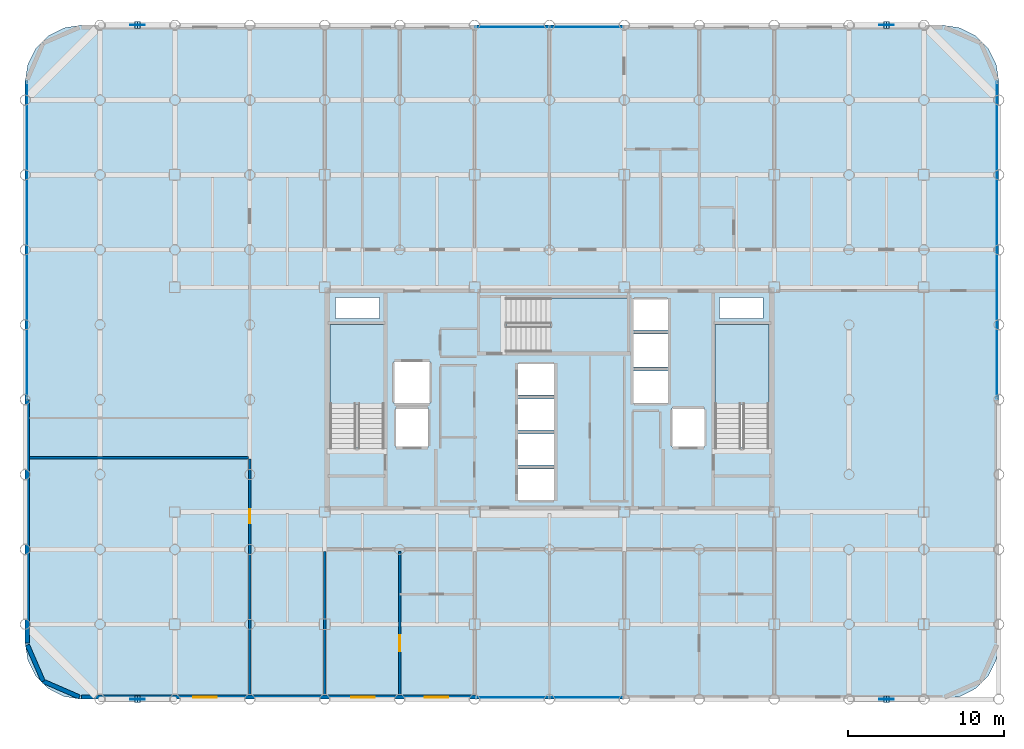
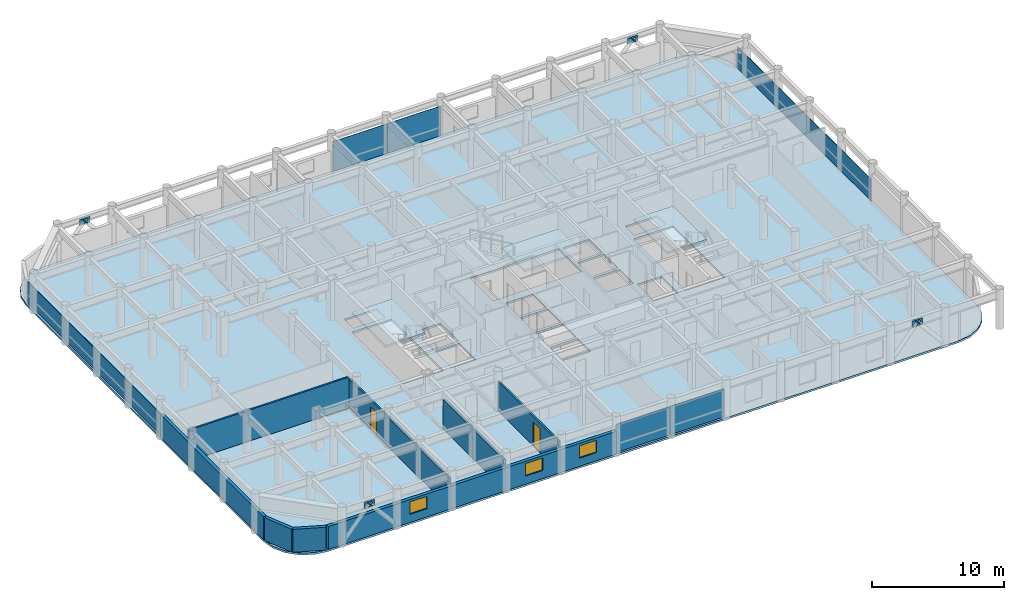
# One storey, part 15 of 20: 18 plates, 8 walls, 4 slabs, 3 windows, 2 doors, 5 openings, 7 elements without a shape of their own.
"""IFC4 building model written with IfcOpenShell, lengths in metres."""

from ifc_helpers import new_model, si_unit, direction, frame, frame_2d, origin, origin_2d, place, context, subcontext, project, spatial, polyline, rectangle, outline, extrude, material, layer, layer_set, type_object, element, fill, aggregate, save


model = new_model("IFC4")

# Units and contexts
model_context = context("Model", 3, precision=1e-05, world=origin(), true_north=direction((0.0, 1.0)))
body_context = subcontext(model_context, "Body", "Model", "MODEL_VIEW")
ifc_project = project(units=[si_unit("LENGTHUNIT", "METRE"), si_unit("AREAUNIT", "SQUARE_METRE"), si_unit("VOLUMEUNIT", "CUBIC_METRE"), si_unit("PLANEANGLEUNIT", "RADIAN"), si_unit("MASSUNIT", "GRAM", prefix="KILO")], contexts=[model_context])

# Site, building, storey
site_placement = place(None, origin())
site = spatial("IfcSite", under=ifc_project, at=site_placement, CompositionType="ELEMENT")
building_placement = place(site_placement, origin())
building = spatial("IfcBuilding", under=site, at=building_placement, Name="Kallvorn Hotel Tower", CompositionType="ELEMENT")
storey_placement = place(building_placement, frame((0.0, 0.0, 135.89990234375)))
storey = spatial("IfcBuildingStorey", under=building, at=storey_placement, Name="L33", CompositionType="ELEMENT", Elevation=135.89990234375)

# Curtain wall, plates
ifc_material_1 = material(Name="Thermally broken black-anodised aluminium AA 6063-T6", Category="aluminium")
ifc_layer_1 = layer(ifc_material_1, 0.2099609375)
ifc_layer_set_1 = layer_set([ifc_layer_1], Name="CW_SYS_4_HOTEL_MID")
curtain_wall_type = type_object("IfcCurtainWallType", Name="CW_SYS_4_HOTEL_MID", PredefinedType="USERDEFINED", material=ifc_layer_set_1)
curtain_wall_1_placement = place(storey_placement, origin())
curtain_wall_1 = element("IfcCurtainWall", 1, at=curtain_wall_1_placement, inside=storey, type_object=curtain_wall_type, Name="L33 Dark-Glass Curtain Wall CW-L33-SC", ObjectType="UNITISED CURTAIN WALL", PredefinedType="USERDEFINED")
ifc_material_2 = material(Name="Double-glazed low-e solar-control dark glass", Category="glass")
ifc_layer_2 = layer(ifc_material_2, 0.037841796875)
ifc_layer_set_2 = layer_set([ifc_layer_2], Name="CW_SYS_4_HOTEL_MID_PANEL")
plate_type_1 = type_object("IfcPlateType", Name="CW_SYS_4_HOTEL_MID_PANEL", PredefinedType="CURTAIN_PANEL", material=ifc_layer_set_2)
plate_1_placement = place(storey_placement, frame((-2.375, -19.080078125, 0.06005859375), z_axis=(0.0, 0.0, 1.0), x_axis=(1.0, 0.0, 0.0)))
plate_1 = element("IfcPlate", 2, at=plate_1_placement, type_object=plate_type_1, Name="CW-L33-SC Vision Glass Panel 00", PredefinedType="CURTAIN_PANEL", context=body_context, shape_type="SweptSolid", body=[
    extrude(rectangle(XDim=4.68994140625, YDim=0.037841796875, at=origin_2d()), origin(), (0.0, 0.0, 1.0), 2.60009765625),
])
plate_2_placement = place(storey_placement, frame((2.375, -19.080078125, 0.06005859375), z_axis=(0.0, 0.0, 1.0), x_axis=(1.0, 0.0, 0.0)))
plate_2 = element("IfcPlate", 3, at=plate_2_placement, type_object=plate_type_1, Name="CW-L33-SC Vision Glass Panel 01", PredefinedType="CURTAIN_PANEL", context=body_context, shape_type="SweptSolid", body=[
    extrude(rectangle(XDim=4.68994140625, YDim=0.037841796875, at=origin_2d()), origin(), (0.0, 0.0, 1.0), 2.60009765625),
])
aggregate(curtain_wall_1, [plate_1, plate_2])

curtain_wall_2_placement = place(storey_placement, origin())
curtain_wall_2 = element("IfcCurtainWall", 4, at=curtain_wall_2_placement, inside=storey, type_object=curtain_wall_type, Name="L33 Dark-Glass Curtain Wall CW-L33-NC", ObjectType="UNITISED CURTAIN WALL", PredefinedType="USERDEFINED")
plate_3_placement = place(storey_placement, frame((-2.375, 23.8798828125, 0.06005859375), z_axis=(0.0, 0.0, 1.0), x_axis=(1.0, 0.0, 0.0)))
plate_3 = element("IfcPlate", 5, at=plate_3_placement, type_object=plate_type_1, Name="CW-L33-NC Vision Glass Panel 00", PredefinedType="CURTAIN_PANEL", context=body_context, shape_type="SweptSolid", body=[
    extrude(rectangle(XDim=4.68994140625, YDim=0.037841796875, at=origin_2d()), origin(), (0.0, 0.0, 1.0), 2.75),
])
plate_4_placement = place(storey_placement, frame((2.375, 23.8798828125, 0.06005859375), z_axis=(0.0, 0.0, 1.0), x_axis=(1.0, 0.0, 0.0)))
plate_4 = element("IfcPlate", 6, at=plate_4_placement, type_object=plate_type_1, Name="CW-L33-NC Vision Glass Panel 01", PredefinedType="CURTAIN_PANEL", context=body_context, shape_type="SweptSolid", body=[
    extrude(rectangle(XDim=4.68994140625, YDim=0.037841796875, at=origin_2d()), origin(), (0.0, 0.0, 1.0), 2.75),
])
aggregate(curtain_wall_2, [plate_3, plate_4])

# Curtain wall, plate
curtain_wall_3_placement = place(storey_placement, origin())
curtain_wall_3 = element("IfcCurtainWall", 7, at=curtain_wall_3_placement, inside=storey, type_object=curtain_wall_type, Name="L33 Dark-Glass Curtain Wall CW-L33-WN", ObjectType="UNITISED CURTAIN WALL", PredefinedType="USERDEFINED")
plate_5_placement = place(storey_placement, frame((-33.47998046875, 10.2099609375, 0.06005859375), z_axis=(0.0, 0.0, 1.0), x_axis=(0.0, 1.0, 0.0)))
plate_5 = element("IfcPlate", 8, at=plate_5_placement, type_object=plate_type_1, Name="CW-L33-WN Vision Glass Panel 00", PredefinedType="CURTAIN_PANEL", context=body_context, shape_type="SweptSolid", body=[
    extrude(rectangle(XDim=20.320068359375, YDim=0.037841796875, at=origin_2d()), origin(), (0.0, 0.0, 1.0), 2.0),
])
aggregate(curtain_wall_3, [plate_5])

curtain_wall_4_placement = place(storey_placement, origin())
curtain_wall_4 = element("IfcCurtainWall", 9, at=curtain_wall_4_placement, inside=storey, type_object=curtain_wall_type, Name="L33 Dark-Glass Curtain Wall CW-L33-EN", ObjectType="UNITISED CURTAIN WALL", PredefinedType="USERDEFINED")
plate_6_placement = place(storey_placement, frame((28.679931640625, 10.2099609375, 0.06005859375), z_axis=(0.0, 0.0, 1.0), x_axis=(0.0, 1.0, 0.0)))
plate_6 = element("IfcPlate", 10, at=plate_6_placement, type_object=plate_type_1, Name="CW-L33-EN Vision Glass Panel 00", PredefinedType="CURTAIN_PANEL", context=body_context, shape_type="SweptSolid", body=[
    extrude(rectangle(XDim=20.320068359375, YDim=0.037841796875, at=origin_2d()), origin(), (0.0, 0.0, 1.0), 2.0),
])
aggregate(curtain_wall_4, [plate_6])

# Plates
ifc_material_3 = material(Name="Structural steel S355JR", Category="steel")
ifc_layer_3 = layer(ifc_material_3, 0.030029296875)
ifc_layer_set_3 = layer_set([ifc_layer_3], Name="PLT_CAP_30")
plate_type_2 = type_object("IfcPlateType", Name="PLT_CAP_30", PredefinedType="SHEET", material=ifc_layer_set_3)
plate_7_placement = place(storey_placement, frame((-26.227294921875, -19.417724609375, 2.876708984375), z_axis=(0.647046537535, 0.0, 0.762450508731), x_axis=(0.0, 1.0, 0.0)))
element("IfcPlate", 11, at=plate_7_placement, inside=storey, type_object=plate_type_2, Name="EXO-L33-S1A End Cap Plate B", PredefinedType="SHEET", context=body_context, shape_type="SweptSolid", body=[
    extrude(outline(polyline([(0.0, 0.0), (0.435546875, 0.0), (0.435546875, 0.4357992903407334), (0.0, 0.4357992903407334), (0.0, 0.0)])), origin(), (0.0, 0.0, -1.0), 0.030029296875),
])
plate_8_placement = place(storey_placement, frame((-26.572509765625, -18.982177734375, 2.876708984375), z_axis=(-0.647322989315, 0.0, 0.762215814258), x_axis=(0.0, -1.0, 0.0)))
element("IfcPlate", 12, at=plate_8_placement, inside=storey, type_object=plate_type_2, Name="EXO-L33-S1B End Cap Plate B", PredefinedType="SHEET", context=body_context, shape_type="SweptSolid", body=[
    extrude(outline(polyline([(0.0, 0.0), (0.435546875, 0.0), (0.435546875, 0.43561317384010895), (0.0, 0.43561317384010895), (0.0, 0.0)])), origin(), (0.0, 0.0, -1.0), 0.030029296875),
])
plate_9_placement = place(storey_placement, frame((21.772705078125, -19.417724609375, 2.876708984375), z_axis=(0.647046537535, 0.0, 0.762450508731), x_axis=(0.0, 1.0, 0.0)))
element("IfcPlate", 13, at=plate_9_placement, inside=storey, type_object=plate_type_2, Name="EXO-L33-S2A End Cap Plate B", PredefinedType="SHEET", context=body_context, shape_type="SweptSolid", body=[
    extrude(outline(polyline([(0.0, 0.0), (0.435546875, 0.0), (0.435546875, 0.4357992903407334), (0.0, 0.4357992903407334), (0.0, 0.0)])), origin(), (0.0, 0.0, -1.0), 0.030029296875),
])
plate_10_placement = place(storey_placement, frame((21.427490234375, -18.982177734375, 2.876708984375), z_axis=(-0.647322989315, 0.0, 0.762215814258), x_axis=(0.0, -1.0, 0.0)))
element("IfcPlate", 14, at=plate_10_placement, inside=storey, type_object=plate_type_2, Name="EXO-L33-S2B End Cap Plate B", PredefinedType="SHEET", context=body_context, shape_type="SweptSolid", body=[
    extrude(outline(polyline([(0.0, 0.0), (0.435546875, 0.0), (0.435546875, 0.43561317384010895), (0.0, 0.43561317384010895), (0.0, 0.0)])), origin(), (0.0, 0.0, -1.0), 0.030029296875),
])
plate_11_placement = place(storey_placement, frame((-26.227294921875, 23.7822265625, 2.876708984375), z_axis=(0.647046537535, 0.0, 0.762450508731), x_axis=(0.0, 1.0, 0.0)))
element("IfcPlate", 15, at=plate_11_placement, inside=storey, type_object=plate_type_2, Name="EXO-L33-N1A End Cap Plate B", PredefinedType="SHEET", context=body_context, shape_type="SweptSolid", body=[
    extrude(outline(polyline([(0.0, 0.0), (0.435546875, 0.0), (0.435546875, 0.4357992903407334), (0.0, 0.4357992903407334), (0.0, 0.0)])), origin(), (0.0, 0.0, -1.0), 0.030029296875),
])
plate_12_placement = place(storey_placement, frame((-26.572509765625, 24.2177734375, 2.876708984375), z_axis=(-0.647322989315, 0.0, 0.762215814258), x_axis=(0.0, -1.0, 0.0)))
element("IfcPlate", 16, at=plate_12_placement, inside=storey, type_object=plate_type_2, Name="EXO-L33-N1B End Cap Plate B", PredefinedType="SHEET", context=body_context, shape_type="SweptSolid", body=[
    extrude(outline(polyline([(0.0, 0.0), (0.435546875, 0.0), (0.435546875, 0.43561317384010895), (0.0, 0.43561317384010895), (0.0, 0.0)])), origin(), (0.0, 0.0, -1.0), 0.030029296875),
])
plate_13_placement = place(storey_placement, frame((21.772705078125, 23.7822265625, 2.876708984375), z_axis=(0.647046537535, 0.0, 0.762450508731), x_axis=(0.0, 1.0, 0.0)))
element("IfcPlate", 17, at=plate_13_placement, inside=storey, type_object=plate_type_2, Name="EXO-L33-N2A End Cap Plate B", PredefinedType="SHEET", context=body_context, shape_type="SweptSolid", body=[
    extrude(outline(polyline([(0.0, 0.0), (0.435546875, 0.0), (0.435546875, 0.4357992903407334), (0.0, 0.4357992903407334), (0.0, 0.0)])), origin(), (0.0, 0.0, -1.0), 0.030029296875),
])
plate_14_placement = place(storey_placement, frame((21.427490234375, 24.2177734375, 2.876708984375), z_axis=(-0.647322989315, 0.0, 0.762215814258), x_axis=(0.0, -1.0, 0.0)))
element("IfcPlate", 18, at=plate_14_placement, inside=storey, type_object=plate_type_2, Name="EXO-L33-N2B End Cap Plate B", PredefinedType="SHEET", context=body_context, shape_type="SweptSolid", body=[
    extrude(outline(polyline([(0.0, 0.0), (0.435546875, 0.0), (0.435546875, 0.43561317384010895), (0.0, 0.43561317384010895), (0.0, 0.0)])), origin(), (0.0, 0.0, -1.0), 0.030029296875),
])
ifc_material_4 = material(Name="Structural steel S355JR", Category="steel")
ifc_layer_4 = layer(ifc_material_4, 0.044921875)
ifc_layer_set_4 = layer_set([ifc_layer_4], Name="PLT_GUSSET_45")
plate_type_3 = type_object("IfcPlateType", Name="PLT_GUSSET_45", PredefinedType="USERDEFINED", material=ifc_layer_set_4)
for number, where, z_axis, x_axis, name in (
    (19, (-26.39990234375, -19.199951171875, 2.690185546875), (0.0, 0.0, 1.0), (1.0, 0.0, 0.0), "L33 Exoskeleton Node Gusset S1"),
    (20, (21.60009765625, -19.199951171875, 2.690185546875), (0.0, 0.0, 1.0), (1.0, 0.0, 0.0), "L33 Exoskeleton Node Gusset S2"),
    (21, (-26.39990234375, 24.0, 2.690185546875), (0.0, 0.0, 1.0), (1.0, 0.0, 0.0), "L33 Exoskeleton Node Gusset N1"),
    (22, (21.60009765625, 24.0, 2.690185546875), (0.0, 0.0, 1.0), (1.0, 0.0, 0.0), "L33 Exoskeleton Node Gusset N2"),
):
    element("IfcPlate", number, at=place(storey_placement, frame(where, z_axis=z_axis, x_axis=x_axis)), inside=storey, type_object=plate_type_3, Name=name, ObjectType="GUSSET PLATE", PredefinedType="USERDEFINED", context=body_context, shape_type="SweptSolid", body=[
        extrude(rectangle(XDim=0.89990234375, YDim=0.044921875, at=origin_2d()), origin(), (0.0, 0.0, 1.0), 0.56005859375),
    ])

# Stair, slab
ifc_material_5 = material(Name="Precast concrete C40/50", Category="concrete")
stair_type = type_object("IfcStairType", Name="STR_CORE_DOGLEG", PredefinedType="HALF_TURN_STAIR", material=ifc_material_5)
stair_1_placement = place(storey_placement, origin())
stair_1 = element("IfcStair", 23, at=stair_1_placement, inside=storey, type_object=stair_type, Name="L33 Exit stair ST1", PredefinedType="HALF_TURN_STAIR")
ifc_material_6 = material(Name="Precast concrete C40/50", Category="concrete")
ifc_layer_5 = layer(ifc_material_6, 0.179931640625)
ifc_layer_set_5 = layer_set([ifc_layer_5], Name="SLB_LANDING_180")
slab_type_1 = type_object("IfcSlabType", Name="SLB_LANDING_180", PredefinedType="LANDING", material=ifc_layer_set_5)
slab_1_placement = place(storey_placement, frame((0.0, 0.0, 1.650146484375)))
slab_1 = element("IfcSlab", 24, at=slab_1_placement, type_object=slab_type_1, Name="ST1 landing 1", PredefinedType="LANDING", context=body_context, shape_type="SweptSolid", body=[
    extrude(outline(polyline([(-10.60009765625, -0.31005859375), (-10.60009765625, 4.800048828125), (-14.06005859375, 4.800048828125), (-14.06005859375, -0.31005859375), (-10.60009765625, -0.31005859375)])), origin(), (0.0, 0.0, 1.0), 0.199951171875),
])
aggregate(stair_1, [slab_1])

stair_2_placement = place(storey_placement, origin())
stair_2 = element("IfcStair", 25, at=stair_2_placement, inside=storey, type_object=stair_type, Name="L33 Exit stair ST2", PredefinedType="HALF_TURN_STAIR")
slab_2_placement = place(storey_placement, frame((0.0, 0.0, 1.650146484375)))
slab_2 = element("IfcSlab", 26, at=slab_2_placement, type_object=slab_type_1, Name="ST2 landing 1", PredefinedType="LANDING", context=body_context, shape_type="SweptSolid", body=[
    extrude(outline(polyline([(14.06005859375, -0.31005859375), (14.06005859375, 4.800048828125), (10.60009765625, 4.800048828125), (10.60009765625, -0.31005859375), (14.06005859375, -0.31005859375)])), origin(), (0.0, 0.0, 1.0), 0.199951171875),
])
aggregate(stair_2, [slab_2])

stair_3_placement = place(storey_placement, origin())
stair_3 = element("IfcStair", 27, at=stair_3_placement, inside=storey, type_object=stair_type, Name="L33 Exit stair ST3", PredefinedType="HALF_TURN_STAIR")
slab_3_placement = place(storey_placement, frame((0.0, 0.0, 1.650146484375)))
slab_3 = element("IfcSlab", 28, at=slab_3_placement, type_object=slab_type_1, Name="ST3 landing 1", PredefinedType="LANDING", context=body_context, shape_type="SweptSolid", body=[
    extrude(outline(polyline([(0.0400390625, 3.050048828125), (5.050048828125, 3.050048828125), (5.050048828125, 6.510009765625), (0.0400390625, 6.510009765625), (0.0400390625, 3.050048828125)])), origin(), (0.0, 0.0, 1.0), 0.199951171875),
])
aggregate(stair_3, [slab_3])

# Slab
ifc_material_7 = material(Name="Concrete C40/50", Category="concrete")
ifc_layer_6 = layer(ifc_material_7, 0.179931640625)
ifc_layer_set_6 = layer_set([ifc_layer_6], Name="SLB_TOWER_180")
slab_type_2 = type_object("IfcSlabType", Name="SLB_TOWER_180", PredefinedType="FLOOR", material=ifc_layer_set_6)
slab_4_placement = place(storey_placement, frame((0.0, 0.0, -0.179931640625)))
element("IfcSlab", 29, at=slab_4_placement, inside=storey, type_object=slab_type_2, Name="L33 Structural Floor Slab", PredefinedType="FLOOR", context=body_context, shape_type="SweptSolid", body=[
    extrude(outline(polyline([(25.199951171875, -19.199951171875), (26.3125, -19.023681640625), (27.31591796875, -18.512451171875), (28.112548828125, -17.716064453125), (28.623779296875, -16.71240234375), (28.800048828125, -15.60009765625), (28.800048828125, 20.39990234375), (28.623779296875, 21.512451171875), (28.112548828125, 22.51611328125), (27.31591796875, 23.3125), (26.3125, 23.82373046875), (25.199951171875, 24.0), (-30.0, 24.0), (-31.112548828125, 23.82373046875), (-32.115966796875, 23.3125), (-32.91259765625, 22.51611328125), (-33.423828125, 21.512451171875), (-33.60009765625, 20.39990234375), (-33.60009765625, -15.60009765625), (-33.423828125, -16.71240234375), (-32.91259765625, -17.716064453125), (-32.115966796875, -18.512451171875), (-31.112548828125, -19.023681640625), (-30.0, -19.199951171875), (25.199951171875, -19.199951171875)]), holes=[polyline([(-10.60009765625, -3.070068359375), (-10.60009765625, 4.800048828125), (-14.06005859375, 4.800048828125), (-14.06005859375, -3.070068359375), (-10.60009765625, -3.070068359375)]), polyline([(14.06005859375, -3.070068359375), (14.06005859375, 4.800048828125), (10.60009765625, 4.800048828125), (10.60009765625, -3.070068359375), (14.06005859375, -3.070068359375)]), polyline([(-2.719970703125, 3.050048828125), (5.050048828125, 3.050048828125), (5.050048828125, 6.510009765625), (-2.719970703125, 6.510009765625), (-2.719970703125, 3.050048828125)]), polyline([(-2.050048828125, -6.449951171875), (0.35009765625, -6.449951171875), (0.35009765625, -4.449951171875), (-2.050048828125, -4.449951171875), (-2.050048828125, -6.449951171875)]), polyline([(-2.050048828125, -4.199951171875), (0.35009765625, -4.199951171875), (0.35009765625, -2.199951171875), (-2.050048828125, -2.199951171875), (-2.050048828125, -4.199951171875)]), polyline([(-2.050048828125, -1.949951171875), (0.35009765625, -1.949951171875), (0.35009765625, 0.050048828125), (-2.050048828125, 0.050048828125), (-2.050048828125, -1.949951171875)]), polyline([(-2.050048828125, 0.300048828125), (0.35009765625, 0.300048828125), (0.35009765625, 2.300048828125), (-2.050048828125, 2.300048828125), (-2.050048828125, 0.300048828125)]), polyline([(5.35009765625, -0.25), (7.64990234375, -0.25), (7.64990234375, 1.85009765625), (5.35009765625, 1.85009765625), (5.35009765625, -0.25)]), polyline([(5.35009765625, 2.10009765625), (7.64990234375, 2.10009765625), (7.64990234375, 4.199951171875), (5.35009765625, 4.199951171875), (5.35009765625, 2.10009765625)]), polyline([(5.35009765625, 4.449951171875), (7.64990234375, 4.449951171875), (7.64990234375, 6.449951171875), (5.35009765625, 6.449951171875), (5.35009765625, 4.449951171875)]), polyline([(-9.85009765625, -3.050048828125), (-7.75, -3.050048828125), (-7.75, -0.550048828125), (-9.85009765625, -0.550048828125), (-9.85009765625, -3.050048828125)]), polyline([(7.85009765625, -3.050048828125), (9.949951171875, -3.050048828125), (9.949951171875, -0.550048828125), (7.85009765625, -0.550048828125), (7.85009765625, -3.050048828125)]), polyline([(-9.949951171875, -0.25), (-7.64990234375, -0.25), (-7.64990234375, 2.449951171875), (-9.949951171875, 2.449951171875), (-9.949951171875, -0.25)]), polyline([(-13.699951171875, 5.199951171875), (-10.89990234375, 5.199951171875), (-10.89990234375, 6.550048828125), (-13.699951171875, 6.550048828125), (-13.699951171875, 5.199951171875)]), polyline([(10.89990234375, 5.199951171875), (13.699951171875, 5.199951171875), (13.699951171875, 6.550048828125), (10.89990234375, 6.550048828125), (10.89990234375, 5.199951171875)])]), origin(), (0.0, 0.0, 1.0), 0.179931640625),
])

# Wall
ifc_material_8 = material(Name="Fire-rated double-layer acoustic gypsum drywall EI 60")
ifc_layer_7 = layer(ifc_material_8, 0.159912109375)
ifc_layer_set_7 = layer_set([ifc_layer_7], Name="WL_DEMISE_160")
wall_type_1 = type_object("IfcWallType", Name="WL_DEMISE_160", PredefinedType="PARTITIONING", material=ifc_layer_set_7)
wall_1_placement = place(storey_placement, frame((-14.39990234375, -18.909912109375, 0.0), z_axis=(0.0, 0.0, 1.0), x_axis=(0.0, 1.0, 0.0)))
element("IfcWall", 30, at=wall_1_placement, inside=storey, type_object=wall_type_1, Name="L33 Suite 3301 Executive Living Salon Partition", PredefinedType="PARTITIONING", context=body_context, shape_type="SweptSolid", body=[
    extrude(rectangle(XDim=9.18994140625, YDim=0.159912109375, at=frame_2d((4.594970703125, 0.0))), origin(), (0.0, 0.0, 1.0), 2.72021484375),
])

# Wall, opening, door
wall_2_placement = place(storey_placement, frame((-9.60009765625, -18.909912109375, 0.0), z_axis=(0.0, 0.0, 1.0), x_axis=(0.0, 1.0, 0.0)))
wall_2 = element("IfcWall", 31, at=wall_2_placement, inside=storey, type_object=wall_type_1, Name="L33 Suite 3301 Executive Bedroom Partition", PredefinedType="PARTITIONING", context=body_context, shape_type="SweptSolid", body=[
    extrude(rectangle(XDim=9.18994140625, YDim=0.159912109375, at=frame_2d((4.594970703125, 0.0))), origin(), (0.0, 0.0, 1.0), 2.72021484375),
])
opening_1_placement = place(wall_2_placement, frame((2.77490234375, 0.0, 0.0)))
opening_1 = element("IfcOpeningElement", 32, at=opening_1_placement, cuts=wall_2, Name="Opening GD2", PredefinedType="OPENING", context=body_context, shape_type="SweptSolid", body=[
    extrude(rectangle(XDim=1.050048828125, YDim=2.199951171875, at=frame_2d((0.52490234375, 1.10009765625))), frame((0.0, 0.094970703125, 0.0), z_axis=(0.0, -1.0, 0.0), x_axis=(1.0, 0.0, 0.0)), (0.0, 0.0, 1.0), 0.18994140625),
])
ifc_material_9 = material(Name="Solid-core walnut veneer fire-rated timber door leaf", Category="wood")
door_type_1 = type_object("IfcDoorType", Name="DR_SUITE_1050x2200", OperationType="NOTDEFINED", PredefinedType="DOOR", material=ifc_material_9)
door_1_placement = place(opening_1_placement, origin())
door_1 = element("IfcDoor", 33, at=door_1_placement, inside=storey, type_object=door_type_1, Name="L33 Suite 3301 Executive Bedroom Door", OperationType="SINGLE_SWING_RIGHT", OverallHeight=2.199951171875, OverallWidth=1.050048828125, PredefinedType="DOOR", context=body_context, shape_type="SweptSolid", body=[
    extrude(rectangle(XDim=1.050048828125, YDim=2.199951171875, at=frame_2d((0.52490234375, 1.10009765625))), frame((0.0, 0.02490234375, 0.0), z_axis=(0.0, -1.0, 0.0), x_axis=(1.0, 0.0, 0.0)), (0.0, 0.0, 1.0), 0.050048828125),
])
fill(opening_1, door_1)

# Walls
ifc_material_10 = material(Name="Precast basalt-clad insulated concrete wall C40/50", Category="masonry")
ifc_layer_8 = layer(ifc_material_10, 0.280029296875)
ifc_layer_set_8 = layer_set([ifc_layer_8], Name="WL_EXT_LOGGIA_280")
wall_type_2 = type_object("IfcWallType", Name="WL_EXT_LOGGIA_280", PredefinedType="SOLIDWALL", material=ifc_layer_set_8)
wall_3_placement = place(storey_placement, frame((-33.4580078125, -15.720703125, 0.0), z_axis=(0.0, 0.0, 1.0), x_axis=(0.398792985289, -0.917040977756, 0.0)))
element("IfcWall", 34, at=wall_3_placement, inside=storey, type_object=wall_type_2, Name="L33 Rounded Corner Exterior Wall SW1", PredefinedType="SOLIDWALL", context=body_context, shape_type="SweptSolid", body=[
    extrude(rectangle(XDim=2.536376953125, YDim=0.280029296875, at=frame_2d((1.26806640625, 0.0))), origin(), (0.0, 0.0, 1.0), 2.1201171875),
])
wall_4_placement = place(storey_placement, frame((-32.446533203125, -18.046630859375, 0.0), z_axis=(0.0, 0.0, 1.0), x_axis=(0.917060872934, -0.398747232384, 0.0)))
element("IfcWall", 35, at=wall_4_placement, inside=storey, type_object=wall_type_2, Name="L33 Rounded Corner Exterior Wall SW2", PredefinedType="SOLIDWALL", context=body_context, shape_type="SweptSolid", body=[
    extrude(rectangle(XDim=2.5361328125, YDim=0.280029296875, at=frame_2d((1.26806640625, 0.0))), origin(), (0.0, 0.0, 1.0), 2.1201171875),
])

# Wall, openings, windows
wall_5_placement = place(storey_placement, frame((-30.0, -19.06005859375, 0.0), z_axis=(0.0, 0.0, 1.0), x_axis=(1.0, 0.0, 0.0)))
wall_5 = element("IfcWall", 36, at=wall_5_placement, inside=storey, type_object=wall_type_2, Name="L33 Exterior Envelope Wall EW-L33-SW", PredefinedType="SOLIDWALL", context=body_context, shape_type="SweptSolid", body=[
    extrude(rectangle(XDim=25.25, YDim=0.280029296875, at=frame_2d((12.625, 0.0))), origin(), (0.0, 0.0, 1.0), 2.1201171875),
])
opening_2_placement = place(wall_5_placement, frame((7.1630859375, 0.0, 0.75)))
opening_2 = element("IfcOpeningElement", 37, at=opening_2_placement, cuts=wall_5, Name="Opening W05A", PredefinedType="OPENING", context=body_context, shape_type="SweptSolid", body=[
    extrude(rectangle(XDim=1.5, YDim=1.14990234375, at=frame_2d((0.75, 0.574951171875))), frame((0.0, 0.155029296875, 0.0), z_axis=(0.0, -1.0, 0.0), x_axis=(1.0, 0.0, 0.0)), (0.0, 0.0, 1.0), 0.31005859375),
])
opening_3_placement = place(wall_5_placement, frame((17.2900390625, 0.0, 0.75)))
opening_3 = element("IfcOpeningElement", 38, at=opening_3_placement, cuts=wall_5, Name="Opening W05A", PredefinedType="OPENING", context=body_context, shape_type="SweptSolid", body=[
    extrude(rectangle(XDim=1.5, YDim=1.14990234375, at=frame_2d((0.75, 0.574951171875))), frame((0.0, 0.155029296875, 0.0), z_axis=(0.0, -1.0, 0.0), x_axis=(1.0, 0.0, 0.0)), (0.0, 0.0, 1.0), 0.31005859375),
])
opening_4_placement = place(wall_5_placement, frame((22.010009765625, 0.0, 0.75)))
opening_4 = element("IfcOpeningElement", 39, at=opening_4_placement, cuts=wall_5, Name="Opening W05A", PredefinedType="OPENING", context=body_context, shape_type="SweptSolid", body=[
    extrude(rectangle(XDim=1.5, YDim=1.14990234375, at=frame_2d((0.75, 0.574951171875))), frame((0.0, 0.155029296875, 0.0), z_axis=(0.0, -1.0, 0.0), x_axis=(1.0, 0.0, 0.0)), (0.0, 0.0, 1.0), 0.31005859375),
])
ifc_material_11 = material(Name="Double-glazed low-e solar-control dark glass", Category="glass")
window_type = type_object("IfcWindowType", Name="WN_HTL_1500x1150", PartitioningType="SINGLE_PANEL", PredefinedType="WINDOW", material=ifc_material_11)
window_1_placement = place(opening_2_placement, origin())
window_1 = element("IfcWindow", 40, at=window_1_placement, inside=storey, type_object=window_type, Name="L33 Guestroom Exterior Window 01", OverallHeight=1.14990234375, OverallWidth=1.5, PartitioningType="SINGLE_PANEL", PredefinedType="WINDOW", context=body_context, shape_type="SweptSolid", body=[
    extrude(rectangle(XDim=1.5, YDim=1.14990234375, at=frame_2d((0.75, 0.574951171875))), frame((0.0, 0.030029296875, 0.0), z_axis=(0.0, -1.0, 0.0), x_axis=(1.0, 0.0, 0.0)), (0.0, 0.0, 1.0), 0.06005859375),
])
fill(opening_2, window_1)
window_2_placement = place(opening_3_placement, origin())
window_2 = element("IfcWindow", 41, at=window_2_placement, inside=storey, type_object=window_type, Name="L33 Guestroom Exterior Window 05", OverallHeight=1.14990234375, OverallWidth=1.5, PartitioningType="SINGLE_PANEL", PredefinedType="WINDOW", context=body_context, shape_type="SweptSolid", body=[
    extrude(rectangle(XDim=1.5, YDim=1.14990234375, at=frame_2d((0.75, 0.574951171875))), frame((0.0, 0.030029296875, 0.0), z_axis=(0.0, -1.0, 0.0), x_axis=(1.0, 0.0, 0.0)), (0.0, 0.0, 1.0), 0.06005859375),
])
fill(opening_3, window_2)
window_3_placement = place(opening_4_placement, origin())
window_3 = element("IfcWindow", 42, at=window_3_placement, inside=storey, type_object=window_type, Name="L33 Guestroom Exterior Window 06", OverallHeight=1.14990234375, OverallWidth=1.5, PartitioningType="SINGLE_PANEL", PredefinedType="WINDOW", context=body_context, shape_type="SweptSolid", body=[
    extrude(rectangle(XDim=1.5, YDim=1.14990234375, at=frame_2d((0.75, 0.574951171875))), frame((0.0, 0.030029296875, 0.0), z_axis=(0.0, -1.0, 0.0), x_axis=(1.0, 0.0, 0.0)), (0.0, 0.0, 1.0), 0.06005859375),
])
fill(opening_4, window_3)

# Walls
wall_6_placement = place(storey_placement, frame((-33.4599609375, -15.60009765625, 0.0), z_axis=(0.0, 0.0, 1.0), x_axis=(0.0, 1.0, 0.0)))
element("IfcWall", 43, at=wall_6_placement, inside=storey, type_object=wall_type_2, Name="L33 Exterior Envelope Wall EW-L33-WS", PredefinedType="SOLIDWALL", context=body_context, shape_type="SweptSolid", body=[
    extrude(rectangle(XDim=15.580078125, YDim=0.280029296875, at=frame_2d((7.7900390625, 0.0))), origin(), (0.0, 0.0, 1.0), 2.1201171875),
])
ifc_material_12 = material(Name="Fire-rated double-layer acoustic gypsum drywall EI 60")
ifc_layer_9 = layer(ifc_material_12, 0.14990234375)
ifc_layer_set_9 = layer_set([ifc_layer_9], Name="WL_PART_150")
wall_type_3 = type_object("IfcWallType", Name="WL_PART_150", PredefinedType="PARTITIONING", material=ifc_layer_set_9)
wall_7_placement = place(storey_placement, frame((-33.31005859375, -3.719970703125, 0.0), z_axis=(0.0, 0.0, 1.0), x_axis=(1.0, 0.0, 0.0)))
element("IfcWall", 44, at=wall_7_placement, inside=storey, type_object=wall_type_3, Name="L33 L33 South-West Botanical Dining Salon Partition", PredefinedType="PARTITIONING", context=body_context, shape_type="SweptSolid", body=[
    extrude(rectangle(XDim=14.030029296875, YDim=0.14990234375, at=frame_2d((7.01513671875, 0.0))), origin(), (0.0, 0.0, 1.0), 2.8701171875),
])

# Wall, opening, door
wall_8_placement = place(storey_placement, frame((-19.199951171875, -18.909912109375, 0.0), z_axis=(0.0, 0.0, 1.0), x_axis=(0.0, 1.0, 0.0)))
wall_8 = element("IfcWall", 45, at=wall_8_placement, inside=storey, type_object=wall_type_3, Name="L33 L33 South-West Botanical Dining Salon Partition", PredefinedType="PARTITIONING", context=body_context, shape_type="SweptSolid", body=[
    extrude(rectangle(XDim=15.10498046875, YDim=0.14990234375, at=frame_2d((7.552490234375, 0.0))), origin(), (0.0, 0.0, 1.0), 2.72021484375),
])
opening_5_placement = place(wall_8_placement, frame((10.99267578125, 0.0, 0.0)))
opening_5 = element("IfcOpeningElement", 46, at=opening_5_placement, cuts=wall_8, Name="Opening SVD1", PredefinedType="OPENING", context=body_context, shape_type="SweptSolid", body=[
    extrude(rectangle(XDim=0.89990234375, YDim=2.10009765625, at=frame_2d((0.449951171875, 1.050048828125))), frame((0.0, 0.08984375, 0.0), z_axis=(0.0, -1.0, 0.0), x_axis=(1.0, 0.0, 0.0)), (0.0, 0.0, 1.0), 0.179931640625),
])
ifc_material_13 = material(Name="Galvanised painted steel fire-rated door assembly", Category="steel")
door_type_2 = type_object("IfcDoorType", Name="DR_SERV_900x2100", OperationType="NOTDEFINED", PredefinedType="DOOR", material=ifc_material_13)
door_2_placement = place(opening_5_placement, origin())
door_2 = element("IfcDoor", 47, at=door_2_placement, inside=storey, type_object=door_type_2, Name="L33 L33 South-West Botanical Dining Salon Door", OperationType="SINGLE_SWING_RIGHT", OverallHeight=2.10009765625, OverallWidth=0.89990234375, PredefinedType="DOOR", context=body_context, shape_type="SweptSolid", body=[
    extrude(rectangle(XDim=0.89990234375, YDim=2.10009765625, at=frame_2d((0.449951171875, 1.050048828125))), frame((0.0, 0.02490234375, 0.0), z_axis=(0.0, -1.0, 0.0), x_axis=(1.0, 0.0, 0.0)), (0.0, 0.0, 1.0), 0.050048828125),
])
fill(opening_5, door_2)

save(model, "model.ifc")
